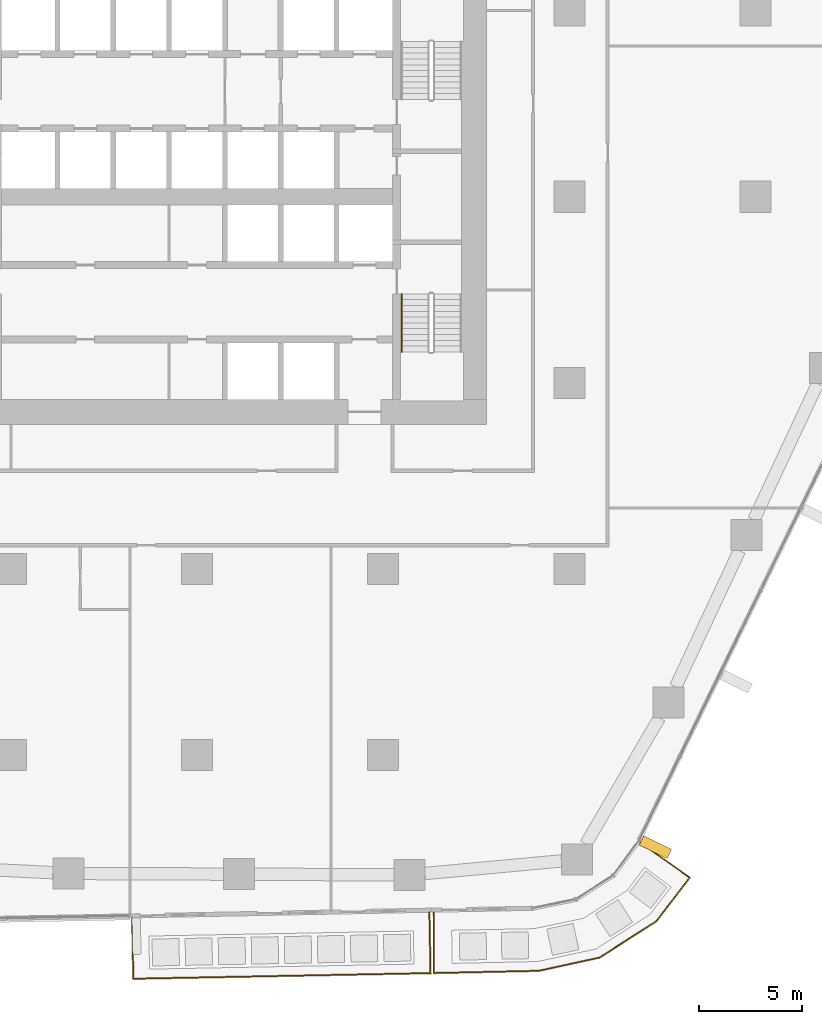
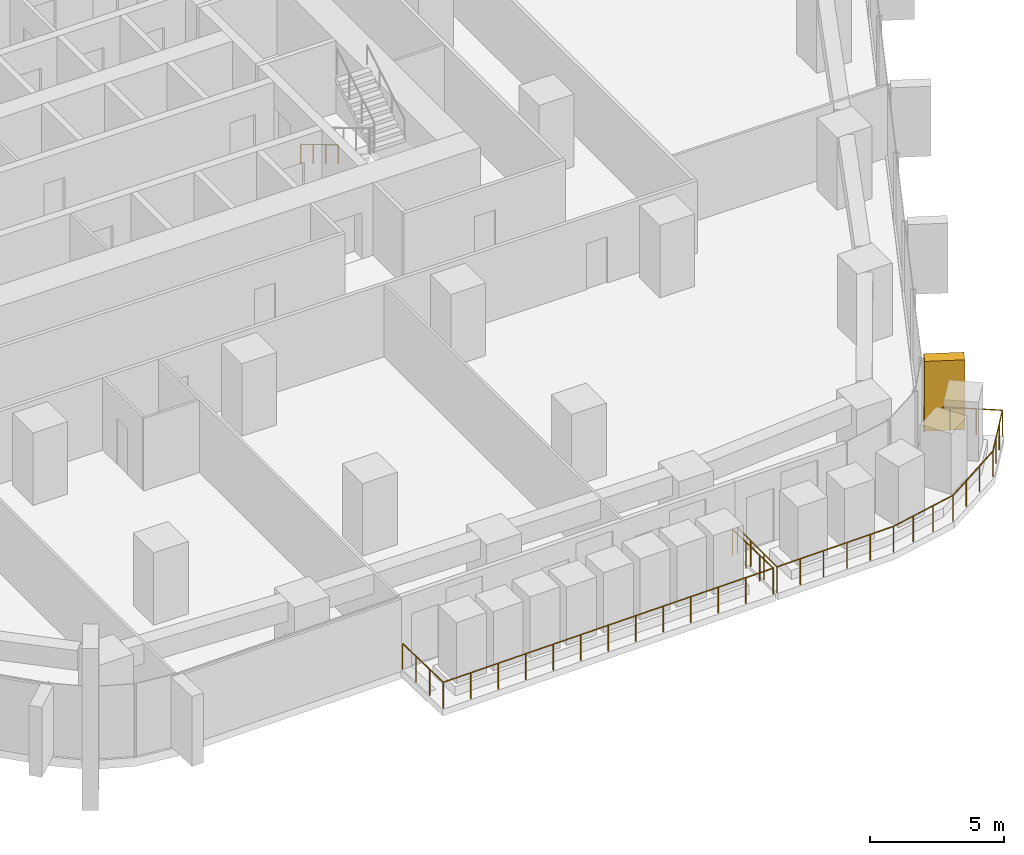
# One storey, part 21 of 25: 3 railings, 1 covering, 1 element without a shape of its own.
"""IFC4 building model written with IfcOpenShell, lengths in metres."""

from ifc_helpers import new_model, si_unit, direction, frame, origin, origin_2d, place, context, subcontext, project, spatial, rectangle, circle, extrude, material, layer, layer_set, material_profile, profile_set, type_object, element, aggregate, save


model = new_model("IFC4")

# Units and contexts
model_context = context("Model", 3, precision=1e-05, world=origin(), true_north=direction((0.0, 1.0)))
body_context = subcontext(model_context, "Body", "Model", "MODEL_VIEW")
ifc_project = project(units=[si_unit("LENGTHUNIT", "METRE"), si_unit("AREAUNIT", "SQUARE_METRE"), si_unit("VOLUMEUNIT", "CUBIC_METRE"), si_unit("PLANEANGLEUNIT", "RADIAN"), si_unit("MASSUNIT", "GRAM", prefix="KILO")], contexts=[model_context])

# Site, building, storey
site_placement = place(None, origin())
site = spatial("IfcSite", under=ifc_project, at=site_placement, CompositionType="ELEMENT")
building_placement = place(site_placement, origin())
building = spatial("IfcBuilding", under=site, at=building_placement, Name="Dongbaek Canopy Tower", CompositionType="ELEMENT")
storey_placement = place(building_placement, frame((0.0, 0.0, 77.300048828125)))
storey = spatial("IfcBuildingStorey", under=building, at=storey_placement, Name="L15", CompositionType="ELEMENT", Elevation=77.300048828125)

# Railings
ifc_material_1 = material(Name="Stainless steel", Category="steel")
railing_type_1 = type_object("IfcRailingType", Name="Balcony balustrade 1200", PredefinedType="BALUSTRADE", material=ifc_material_1)
railing_1_placement = place(storey_placement, frame((-3.13330078125, -34.869384765625, 0.0)))
element("IfcRailing", 1, at=railing_1_placement, inside=storey, type_object=railing_type_1, Name="Balcony guard L15 4", PredefinedType="BALUSTRADE", context=body_context, shape_type="SweptSolid", body=[
    extrude(circle(Radius=0.02392578125, at=origin_2d()), frame((0.0, 0.0, 1.17578125), z_axis=(0.018933482557, -0.999820745553, 0.0), x_axis=(0.999820745553, 0.018933482557, 0.0)), (0.0, 0.0, 1.0), 2.93994140625),
    extrude(circle(Radius=0.02392578125, at=origin_2d()), frame((0.0556640625, -2.939453125, 1.17578125), z_axis=(0.999820569964, 0.018942752638, 0.0), x_axis=(-0.018942752638, 0.999820569964, 0.0)), (0.0, 0.0, 1.0), 14.37060546875),
    extrude(circle(Radius=0.02392578125, at=origin_2d()), frame((14.423583984375, -2.667236328125, 1.17578125), z_axis=(-0.018931910703, 0.999820775318, 0.0), x_axis=(-0.999820775318, -0.018931910703, 0.0)), (0.0, 0.0, 1.0), 2.940185546875),
    extrude(circle(Radius=0.02099609375, at=origin_2d()), origin(), (0.0, 0.0, 1.0), 1.15185546875),
    extrude(circle(Radius=0.02099609375, at=origin_2d()), frame((0.0185546875, -0.979736328125, 0.0)), (0.0, 0.0, 1.0), 1.15185546875),
    extrude(circle(Radius=0.02099609375, at=origin_2d()), frame((0.037109375, -1.959716796875, 0.0)), (0.0, 0.0, 1.0), 1.15185546875),
    extrude(circle(Radius=0.02099609375, at=origin_2d()), frame((0.0556640625, -2.939453125, 0.0)), (0.0, 0.0, 1.0), 1.15185546875),
    extrude(circle(Radius=0.02099609375, at=origin_2d()), frame((1.2529296875, -2.916748046875, 0.0)), (0.0, 0.0, 1.0), 1.15185546875),
    extrude(circle(Radius=0.02099609375, at=origin_2d()), frame((2.4501953125, -2.89404296875, 0.0)), (0.0, 0.0, 1.0), 1.15185546875),
    extrude(circle(Radius=0.02099609375, at=origin_2d()), frame((3.647705078125, -2.871337890625, 0.0)), (0.0, 0.0, 1.0), 1.15185546875),
    extrude(circle(Radius=0.02099609375, at=origin_2d()), frame((4.844970703125, -2.8486328125, 0.0)), (0.0, 0.0, 1.0), 1.15185546875),
    extrude(circle(Radius=0.02099609375, at=origin_2d()), frame((6.042236328125, -2.825927734375, 0.0)), (0.0, 0.0, 1.0), 1.15185546875),
    extrude(circle(Radius=0.02099609375, at=origin_2d()), frame((7.23974609375, -2.80322265625, 0.0)), (0.0, 0.0, 1.0), 1.15185546875),
    extrude(circle(Radius=0.02099609375, at=origin_2d()), frame((8.43701171875, -2.78076171875, 0.0)), (0.0, 0.0, 1.0), 1.15185546875),
    extrude(circle(Radius=0.02099609375, at=origin_2d()), frame((9.63427734375, -2.758056640625, 0.0)), (0.0, 0.0, 1.0), 1.15185546875),
    extrude(circle(Radius=0.02099609375, at=origin_2d()), frame((10.83154296875, -2.7353515625, 0.0)), (0.0, 0.0, 1.0), 1.15185546875),
    extrude(circle(Radius=0.02099609375, at=origin_2d()), frame((12.02880859375, -2.712646484375, 0.0)), (0.0, 0.0, 1.0), 1.15185546875),
    extrude(circle(Radius=0.02099609375, at=origin_2d()), frame((13.226318359375, -2.68994140625, 0.0)), (0.0, 0.0, 1.0), 1.15185546875),
    extrude(circle(Radius=0.02099609375, at=origin_2d()), frame((14.423583984375, -2.667236328125, 0.0)), (0.0, 0.0, 1.0), 1.15185546875),
    extrude(circle(Radius=0.02099609375, at=origin_2d()), frame((14.405029296875, -1.687255859375, 0.0)), (0.0, 0.0, 1.0), 1.15185546875),
    extrude(circle(Radius=0.02099609375, at=origin_2d()), frame((14.386474609375, -0.70751953125, 0.0)), (0.0, 0.0, 1.0), 1.15185546875),
    extrude(circle(Radius=0.02099609375, at=origin_2d()), frame((14.367919921875, 0.2724609375, 0.0)), (0.0, 0.0, 1.0), 1.15185546875),
])
railing_2_placement = place(storey_placement, frame((11.45458984375, -34.5927734375, 0.0)))
element("IfcRailing", 2, at=railing_2_placement, inside=storey, type_object=railing_type_1, Name="Balcony guard L15 7", PredefinedType="BALUSTRADE", context=body_context, shape_type="SweptSolid", body=[
    extrude(circle(Radius=0.02392578125, at=origin_2d()), frame((0.0, 0.0, 1.17578125), z_axis=(-0.001494394346, -0.999998883392, 0.0), x_axis=(0.999998883392, -0.001494394346, 0.0)), (0.0, 0.0, 1.0), 2.940673828125),
    extrude(circle(Radius=0.02392578125, at=origin_2d()), frame((-0.00439453125, -2.940673828125, 1.17578125), z_axis=(0.999771507585, 0.021375982361, 0.0), x_axis=(-0.021375982361, 0.999771507585, 0.0)), (0.0, 0.0, 1.0), 5.08251953125),
    extrude(circle(Radius=0.02392578125, at=origin_2d()), frame((5.076904296875, -2.83203125, 1.17578125), z_axis=(0.977109982693, 0.212734768484, 0.0), x_axis=(-0.212734768484, 0.977109982693, 0.0)), (0.0, 0.0, 1.0), 2.989501953125),
    extrude(circle(Radius=0.02392578125, at=origin_2d()), frame((7.998046875, -2.196044921875, 1.17578125), z_axis=(0.842802081689, 0.538223606972, 0.0), x_axis=(-0.538223606972, 0.842802081689, 0.0)), (0.0, 0.0, 1.0), 3.255859375),
    extrude(circle(Radius=0.02392578125, at=origin_2d()), frame((10.7421875, -0.443603515625, 1.17578125), z_axis=(0.608897705998, 0.793248752681, 0.0), x_axis=(-0.793248752681, 0.608897705998, 0.0)), (0.0, 0.0, 1.0), 2.671142578125),
    extrude(circle(Radius=0.02392578125, at=origin_2d()), frame((12.36865234375, 1.67529296875, 1.17578125), z_axis=(-0.816339261531, 0.577572688139, 0.0), x_axis=(-0.577572688139, -0.816339261531, 0.0)), (0.0, 0.0, 1.0), 2.940673828125),
    extrude(circle(Radius=0.02099609375, at=origin_2d()), origin(), (0.0, 0.0, 1.0), 1.15185546875),
    extrude(circle(Radius=0.02099609375, at=origin_2d()), frame((-0.00146484375, -0.980224609375, 0.0)), (0.0, 0.0, 1.0), 1.15185546875),
    extrude(circle(Radius=0.02099609375, at=origin_2d()), frame((-0.0029296875, -1.96044921875, 0.0)), (0.0, 0.0, 1.0), 1.15185546875),
    extrude(circle(Radius=0.02099609375, at=origin_2d()), frame((-0.00439453125, -2.940673828125, 0.0)), (0.0, 0.0, 1.0), 1.15185546875),
    extrude(circle(Radius=0.02099609375, at=origin_2d()), frame((1.011962890625, -2.9189453125, 0.0)), (0.0, 0.0, 1.0), 1.15185546875),
    extrude(circle(Radius=0.02099609375, at=origin_2d()), frame((2.028076171875, -2.897216796875, 0.0)), (0.0, 0.0, 1.0), 1.15185546875),
    extrude(circle(Radius=0.02099609375, at=origin_2d()), frame((3.04443359375, -2.87548828125, 0.0)), (0.0, 0.0, 1.0), 1.15185546875),
    extrude(circle(Radius=0.02099609375, at=origin_2d()), frame((4.060546875, -2.853759765625, 0.0)), (0.0, 0.0, 1.0), 1.15185546875),
    extrude(circle(Radius=0.02099609375, at=origin_2d()), frame((5.076904296875, -2.83203125, 0.0)), (0.0, 0.0, 1.0), 1.15185546875),
    extrude(circle(Radius=0.02099609375, at=origin_2d()), frame((6.050537109375, -2.6201171875, 0.0)), (0.0, 0.0, 1.0), 1.15185546875),
    extrude(circle(Radius=0.02099609375, at=origin_2d()), frame((7.0244140625, -2.407958984375, 0.0)), (0.0, 0.0, 1.0), 1.15185546875),
    extrude(circle(Radius=0.02099609375, at=origin_2d()), frame((7.998046875, -2.196044921875, 0.0)), (0.0, 0.0, 1.0), 1.15185546875),
    extrude(circle(Radius=0.02099609375, at=origin_2d()), frame((8.912841796875, -1.61181640625, 0.0)), (0.0, 0.0, 1.0), 1.15185546875),
    extrude(circle(Radius=0.02099609375, at=origin_2d()), frame((9.827392578125, -1.02783203125, 0.0)), (0.0, 0.0, 1.0), 1.15185546875),
    extrude(circle(Radius=0.02099609375, at=origin_2d()), frame((10.7421875, -0.443603515625, 0.0)), (0.0, 0.0, 1.0), 1.15185546875),
    extrude(circle(Radius=0.02099609375, at=origin_2d()), frame((11.284423828125, 0.2626953125, 0.0)), (0.0, 0.0, 1.0), 1.15185546875),
    extrude(circle(Radius=0.02099609375, at=origin_2d()), frame((11.826416015625, 0.968994140625, 0.0)), (0.0, 0.0, 1.0), 1.15185546875),
    extrude(circle(Radius=0.02099609375, at=origin_2d()), frame((12.36865234375, 1.67529296875, 0.0)), (0.0, 0.0, 1.0), 1.15185546875),
    extrude(circle(Radius=0.02099609375, at=origin_2d()), frame((11.568359375, 2.241455078125, 0.0)), (0.0, 0.0, 1.0), 1.15185546875),
    extrude(circle(Radius=0.02099609375, at=origin_2d()), frame((10.768310546875, 2.8076171875, 0.0)), (0.0, 0.0, 1.0), 1.15185546875),
    extrude(circle(Radius=0.02099609375, at=origin_2d()), frame((9.968017578125, 3.373779296875, 0.0)), (0.0, 0.0, 1.0), 1.15185546875),
])

# Curtain wall, covering
ifc_material_2 = material(Name="Aluminium 6063-T6 pale anodised", Category="aluminium")
ifc_layer = layer(ifc_material_2, 0.199951171875)
ifc_layer_set = layer_set([ifc_layer], Name="CW-1 unitised tower curtain wall")
curtain_wall_type = type_object("IfcCurtainWallType", Name="CW-1 unitised tower curtain wall", PredefinedType="NOTDEFINED", material=ifc_layer_set)
curtain_wall_placement = place(storey_placement, origin())
curtain_wall = element("IfcCurtainWall", 3, at=curtain_wall_placement, inside=storey, type_object=curtain_wall_type, Name="CW-1 curtain wall F5.1", PredefinedType="NOTDEFINED")
ifc_material_3 = material(Name="Aluminium 6063-T6 pale metal fin", Category="aluminium")
ifc_material_profile = material_profile(ifc_material_3, rectangle(XDim=1.5, YDim=0.5, at=origin_2d()), Name="Fin FN1 500 x 1500 pale metal")
ifc_profile_set = profile_set([ifc_material_profile], Name="Aluminium 6063-T6 pale metal fin")
covering_type = type_object("IfcCoveringType", Name="Fin FN1 500 x 1500 pale metal", PredefinedType="CLADDING", material=ifc_profile_set)
covering_placement = place(storey_placement, frame((22.16650390625, -31.450439453125, 0.119873046875), z_axis=(0.0, 0.0, 1.0), x_axis=(0.899092424879, -0.437758850882, 0.0)))
covering = element("IfcCovering", 4, at=covering_placement, type_object=covering_type, Name="Fin F5.1.1", PredefinedType="CLADDING", context=body_context, shape_type="SweptSolid", body=[
    extrude(rectangle(XDim=1.5, YDim=0.5, at=origin_2d()), origin(), (0.0, 0.0, 1.0), 3.18017578125),
])
aggregate(curtain_wall, [covering])

# Railing
ifc_material_4 = material(Name="Stainless steel tube", Category="steel")
railing_type_2 = type_object("IfcRailingType", Name="Stair handrail 900", PredefinedType="HANDRAIL", material=ifc_material_4)
railing_3_placement = place(storey_placement, frame((9.89990234375, -4.699951171875, 0.168212890625)))
element("IfcRailing", 5, at=railing_3_placement, inside=storey, type_object=railing_type_2, Name="L15 ST-B stair handrail 1", PredefinedType="HANDRAIL", context=body_context, shape_type="SweptSolid", body=[
    extrude(circle(Radius=0.02392578125, at=origin_2d()), frame((0.0, 0.0, 0.8759765625), z_axis=(0.0, -0.857275202839, 0.514858452973), x_axis=(1.0, 0.0, 0.0)), (0.0, 0.0, 1.0), 3.26611328125),
    extrude(circle(Radius=0.02099609375, at=origin_2d()), origin(), (0.0, 0.0, 1.0), 0.851806640625),
    extrude(circle(Radius=0.02099609375, at=origin_2d()), frame((0.0, -0.933349609375, 0.560546875)), (0.0, 0.0, 1.0), 0.851806640625),
    extrude(circle(Radius=0.02099609375, at=origin_2d()), frame((0.0, -1.86669921875, 1.12109375)), (0.0, 0.0, 1.0), 0.851806640625),
    extrude(circle(Radius=0.02099609375, at=origin_2d()), frame((0.0, -2.800048828125, 1.681640625)), (0.0, 0.0, 1.0), 0.851806640625),
])

save(model, "model.ifc")
